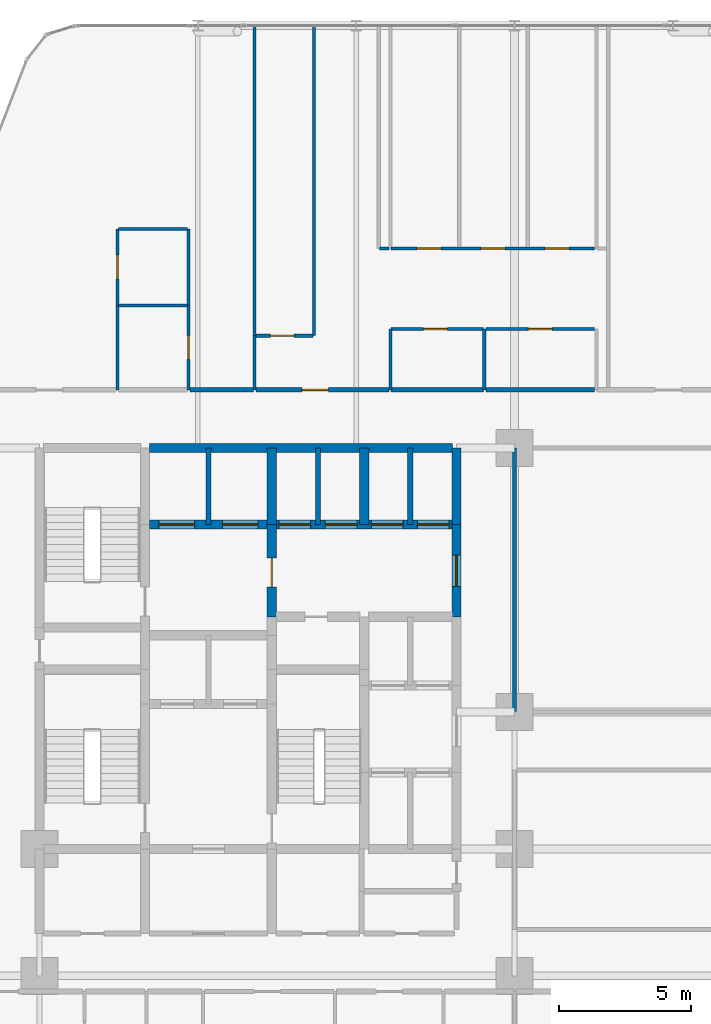
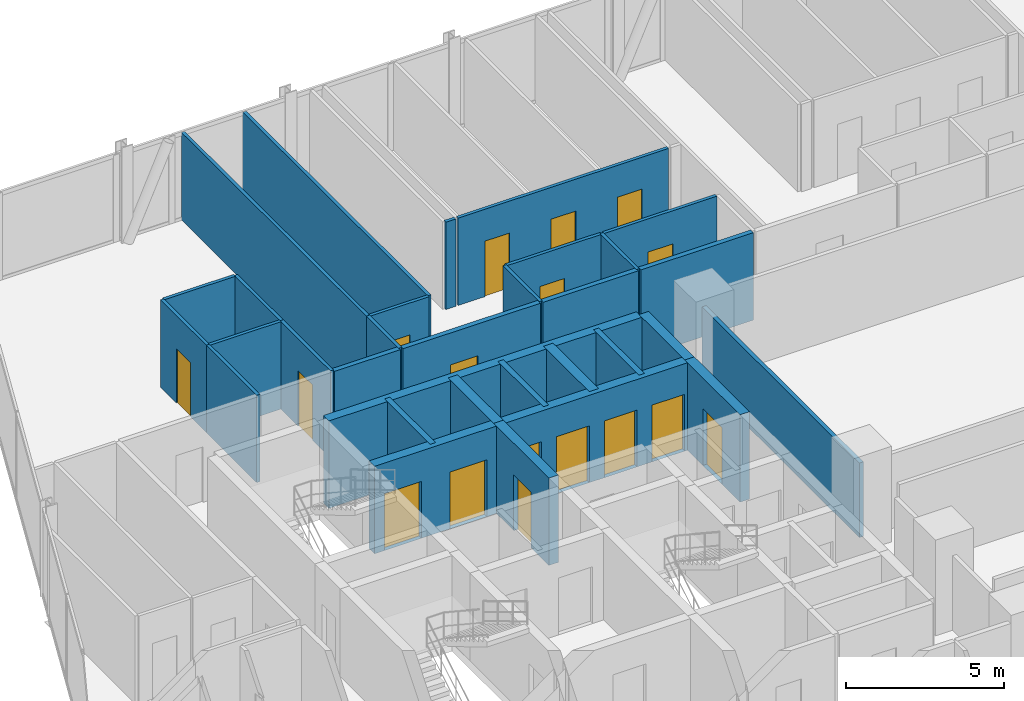
# One storey, part 30 of 33: 31 walls, 17 doors, 17 openings.
"""IFC4 building model written with IfcOpenShell, lengths in metres."""

import ifcopenshell
import ifcopenshell.guid

model = None  # the IFC model being written
_history = None  # IfcOwnerHistory: only IFC2X3 demands one
_inside = {}  # id of a spatial element -> (the spatial element, [elements in it])
_under = {}  # id of a project, library or spatial element -> (it, [spatial elements below it])
_declared = {}  # id of a project -> (the project, [libraries it declares])
_typed = {}  # id of a type object -> (the type object, [elements of that type])
_made_of = {}  # id of a material, layer set ... -> (it, [elements and type objects made of it])


def new_model(schema):
    """Start an empty IFC model of exactly this schema.

    Asked for "IFC4X3", IfcOpenShell would pick the latest addendum, in which some entities
    have other attributes; the version numbers below select the first issue.
    IFC2X3 requires an IfcOwnerHistory on every rooted entity: one is made here for all.
    """
    global model, _history
    if schema == "IFC4X3":
        model = ifcopenshell.file(schema_version=(4, 3, 0, 0))
    else:
        model = ifcopenshell.file(schema=schema)
    _inside.clear()
    _under.clear()
    _declared.clear()
    _typed.clear()
    _made_of.clear()
    _history = None
    if model.schema == "IFC2X3":
        org = make("IfcOrganization", Name="unknown")
        user = make(
            "IfcPersonAndOrganization",
            ThePerson=make("IfcPerson", FamilyName="unknown"),
            TheOrganization=org,
        )
        app = make(
            "IfcApplication",
            ApplicationDeveloper=org,
            Version="unknown",
            ApplicationFullName="unknown",
            ApplicationIdentifier="unknown",
        )
        _history = make(
            "IfcOwnerHistory",
            OwningUser=user,
            OwningApplication=app,
            ChangeAction="ADDED",
            CreationDate=0,
        )
    return model


def make(cls, **values):
    """One entity of the class cls with the attributes given. An attribute that is None is left unset."""
    return model.create_entity(
        cls, **{name: value for name, value in values.items() if value is not None}
    )


def rooted(cls, **values):
    """An entity with a GlobalId (a new one), such as an element, a storey or a relation."""
    return make(cls, GlobalId=ifcopenshell.guid.new(), OwnerHistory=_history, **values)


def si_unit(unit_type, name, prefix=None):
    """IfcSIUnit, for example si_unit("LENGTHUNIT", "METRE", prefix="MILLI")."""
    return make("IfcSIUnit", UnitType=unit_type, Prefix=prefix, Name=name)


def assignment(units):
    """IfcUnitAssignment: the units of a project."""
    return None if units is None else make("IfcUnitAssignment", Units=units)


def point(xyz):
    """IfcCartesianPoint."""
    return None if xyz is None else make("IfcCartesianPoint", Coordinates=xyz)


def direction(xyz):
    """IfcDirection."""
    return None if xyz is None else make("IfcDirection", DirectionRatios=xyz)


def frame(location, z_axis=None, x_axis=None):
    """IfcAxis2Placement3D, a coordinate frame: its origin and axes. An axis left out is left unset."""
    return make(
        "IfcAxis2Placement3D",
        Location=point(location),
        Axis=direction(z_axis),
        RefDirection=direction(x_axis),
    )


def frame_2d(location, x_axis=None):
    """IfcAxis2Placement2D, a coordinate frame in the plane: its origin and x axis."""
    return make(
        "IfcAxis2Placement2D", Location=point(location), RefDirection=direction(x_axis)
    )


def origin():
    """The frame at (0, 0, 0) with its axes left unset."""
    return frame((0.0, 0.0, 0.0))


def place(relative_to, where):
    """IfcLocalPlacement: puts the frame where relative to a parent placement (None: the world)."""
    return make(
        "IfcLocalPlacement", PlacementRelTo=relative_to, RelativePlacement=where
    )


def context(
    kind, dimensions, precision=None, world=None, true_north=None, identifier=None
):
    """IfcGeometricRepresentationContext, for example the 3D "Model" context."""
    return make(
        "IfcGeometricRepresentationContext",
        ContextIdentifier=identifier,
        ContextType=kind,
        CoordinateSpaceDimension=dimensions,
        Precision=precision,
        WorldCoordinateSystem=world,
        TrueNorth=true_north,
    )


def subcontext(parent, identifier, kind, view, scale=None):
    """IfcGeometricRepresentationSubContext, for example "Body" below "Model"."""
    return make(
        "IfcGeometricRepresentationSubContext",
        ContextIdentifier=identifier,
        ContextType=kind,
        ParentContext=parent,
        TargetScale=scale,
        TargetView=view,
    )


def project(units=None, contexts=None):
    """IfcProject with its units and contexts."""
    return rooted(
        "IfcProject",
        Name="project",
        RepresentationContexts=contexts,
        UnitsInContext=assignment(units),
    )


def spatial(cls, under=None, at=None, **own):
    """A site, building, storey or space (cls), placed at a placement, below another one or the project."""
    s = rooted(cls, ObjectPlacement=at, **own)
    if under is not None:
        _under.setdefault(under.id(), (under, []))[1].append(s)
    return s


def profile(cls, at=None, kind="AREA", **sizes):
    """A parametric profile (cls). Its sizes go by their IFC names, for example OverallWidth=200.0."""
    return make(cls, ProfileType=kind, Position=at, **sizes)


def rectangle(**sizes):
    """IfcRectangleProfileDef."""
    return profile("IfcRectangleProfileDef", **sizes)


def extrude(swept, where, along, depth):
    """IfcExtrudedAreaSolid: the profile swept, set in the frame where, extruded along a direction by depth."""
    return make(
        "IfcExtrudedAreaSolid",
        SweptArea=swept,
        Position=where,
        ExtrudedDirection=direction(along),
        Depth=depth,
    )


def shape(context_of_items, identifier, shape_type, items):
    """IfcShapeRepresentation: the items that make up one representation, for example the "Body"."""
    return make(
        "IfcShapeRepresentation",
        ContextOfItems=context_of_items,
        RepresentationIdentifier=identifier,
        RepresentationType=shape_type,
        Items=items,
    )


def material(Name=None, Category=None):
    """IfcMaterial."""
    return make("IfcMaterial", Name=Name, Category=Category)


def layer(
    of_material, thickness, ventilated=None, Name=None, Category=None, Priority=None
):
    """IfcMaterialLayer: one layer of a wall or slab, of a material (None: an air gap)."""
    return make(
        "IfcMaterialLayer",
        Material=of_material,
        LayerThickness=thickness,
        IsVentilated=ventilated,
        Name=Name,
        Category=Category,
        Priority=Priority,
    )


def layer_set(layers, Name=None):
    """IfcMaterialLayerSet."""
    return make("IfcMaterialLayerSet", MaterialLayers=layers, LayerSetName=Name)


def made_of(thing, what):
    """Note that an element or type object is made of a material, layer set ...; save() writes the relation."""
    if what is not None:
        _made_of.setdefault(what.id(), (what, []))[1].append(thing)
    return thing


def type_object(cls, material=None, **own):
    """A type object (cls), such as IfcWallType, which elements share."""
    return made_of(rooted(cls, **own), material)


def element(
    cls,
    number,
    at=None,
    inside=None,
    cuts=None,
    type_object=None,
    material=None,
    context=None,
    identifier="Body",
    shape_type=None,
    held_by="IfcProductDefinitionShape",
    body=None,
    shapes=None,
    **own,
):
    """One element of the class cls, such as IfcWall. Its Tag is "e" and its number.

    at: its placement. inside: the storey or other place that contains it. cuts: it is an
    opening in that element (IfcRelVoidsElement). A single representation is given by context,
    identifier, shape_type and body (its items); several are given by shapes. held_by: the class
    of the entity that holds the representations. save() writes the other relations.
    """
    e = rooted(cls, Tag="e%d" % number, ObjectPlacement=at, **own)
    if body is not None:
        shapes = [shape(context, identifier, shape_type, body)]
    if shapes is not None:
        e.Representation = make(held_by, Representations=shapes)
    if inside is not None:
        _inside.setdefault(inside.id(), (inside, []))[1].append(e)
    if cuts is not None:
        rooted(
            "IfcRelVoidsElement", RelatingBuildingElement=cuts, RelatedOpeningElement=e
        )
    if type_object is not None:
        _typed.setdefault(type_object.id(), (type_object, []))[1].append(e)
    return made_of(e, material)


def fill(opening, filler):
    """IfcRelFillsElement: the door or window that sits in an opening."""
    return rooted(
        "IfcRelFillsElement",
        RelatingOpeningElement=opening,
        RelatedBuildingElement=filler,
    )


def aggregate(whole, parts):
    """IfcRelAggregates: a whole, such as a stair, and the parts it consists of."""
    return rooted("IfcRelAggregates", RelatingObject=whole, RelatedObjects=parts)


def save(model, path):
    """Write the relations noted so far, then the file.

    IfcRelAggregates (storeys below a building ...), IfcRelContainedInSpatialStructure (elements
    in a storey), IfcRelDefinesByType, IfcRelAssociatesMaterial and IfcRelDeclares: one each for
    every whole, place, type object, material and project.
    """
    for whole, parts in _under.values():
        aggregate(whole, parts)
    for where, things in _inside.values():
        rooted(
            "IfcRelContainedInSpatialStructure",
            RelatedElements=things,
            RelatingStructure=where,
        )
    for kind, things in _typed.values():
        rooted("IfcRelDefinesByType", RelatedObjects=things, RelatingType=kind)
    for what, things in _made_of.values():
        rooted("IfcRelAssociatesMaterial", RelatedObjects=things, RelatingMaterial=what)
    for by, libraries in _declared.values():
        rooted("IfcRelDeclares", RelatingContext=by, RelatedDefinitions=libraries)
    model.write(path)


model = new_model("IFC4")

# Units and contexts
model_context = context("Model", 3, precision=1e-05, world=origin(), true_north=direction((0.0, 1.0)))
body_context = subcontext(model_context, "Body", "Model", "MODEL_VIEW")
ifc_project = project(units=[si_unit("LENGTHUNIT", "METRE"), si_unit("AREAUNIT", "SQUARE_METRE"), si_unit("VOLUMEUNIT", "CUBIC_METRE"), si_unit("PLANEANGLEUNIT", "RADIAN"), si_unit("MASSUNIT", "GRAM", prefix="KILO")], contexts=[model_context])

# Site, building, storey
site_placement = place(None, origin())
site = spatial("IfcSite", under=ifc_project, at=site_placement, CompositionType="ELEMENT")
building_placement = place(site_placement, origin())
building = spatial("IfcBuilding", under=site, at=building_placement, Name="Keshet Zoharim Tower", CompositionType="ELEMENT")
storey_placement = place(building_placement, frame((0.0, 0.0, 42.5)))
storey = spatial("IfcBuildingStorey", under=building, at=storey_placement, Name="L09", CompositionType="ELEMENT", Elevation=42.5)

# Wall
ifc_material_1 = material(Name="Gypsum Plasterboard", Category="gypsum")
ifc_layer_1 = layer(ifc_material_1, 0.14990234375)
ifc_layer_set_1 = layer_set([ifc_layer_1], Name="Gypsum Plasterboard")
wall_type_1 = type_object("IfcWallType", Name="WL-CLIN-150", PredefinedType="STANDARD", material=ifc_layer_set_1)
wall_1_placement = place(storey_placement, frame((33.0, 27.909912109375, 0.0), z_axis=(0.0, 0.0, 1.0), x_axis=(0.0, 1.0, 0.0)))
element("IfcWall", 1, at=wall_1_placement, inside=storey, type_object=wall_type_1, Name="L09 Interior Wall 072", PredefinedType="STANDARD", context=body_context, shape_type="SweptSolid", body=[
    extrude(rectangle(XDim=9.97998046875, YDim=0.14990234375, at=frame_2d((4.989990234375, 0.0))), origin(), (0.0, 0.0, 1.0), 2.885009765625),
])

# Wall, opening, door
ifc_material_2 = material(Name="Concrete C60/75", Category="concrete")
ifc_layer_2 = layer(ifc_material_2, 0.35009765625)
ifc_layer_set_2 = layer_set([ifc_layer_2], Name="Concrete C60/75")
wall_type_2 = type_object("IfcWallType", Name="WL-CORE-350", PredefinedType="SHEAR", material=ifc_layer_set_2)
wall_2_placement = place(storey_placement, frame((23.800048828125, 31.5, 0.0), z_axis=(0.0, 0.0, 1.0), x_axis=(0.0, 1.0, 0.0)))
wall_2 = element("IfcWall", 2, at=wall_2_placement, inside=storey, type_object=wall_type_2, Name="L09 Core Shear Wall 040", PredefinedType="SHEAR", context=body_context, shape_type="SweptSolid", body=[
    extrude(rectangle(XDim=3.5, YDim=0.35009765625, at=frame_2d((1.75, 0.0))), origin(), (0.0, 0.0, 1.0), 3.385009765625),
])
opening_1_placement = place(wall_2_placement, frame((1.126953125, 0.0, 0.0)))
opening_1 = element("IfcOpeningElement", 3, at=opening_1_placement, cuts=wall_2, Name="Opening D-F611", PredefinedType="OPENING", context=body_context, shape_type="SweptSolid", body=[
    extrude(rectangle(XDim=1.10009765625, YDim=2.14990234375, at=frame_2d((0.550048828125, 1.074951171875))), frame((0.0, 0.18505859375, 0.0), z_axis=(0.0, -1.0, 0.0), x_axis=(1.0, 0.0, 0.0)), (0.0, 0.0, 1.0), 0.3701171875),
])
ifc_material_3 = material(Name="Hardwood Timber", Category="wood")
door_type_1 = type_object("IfcDoorType", Name="DR-FD60-110", OperationType="NOTDEFINED", PredefinedType="DOOR", material=ifc_material_3)
door_1_placement = place(opening_1_placement, origin())
door_1 = element("IfcDoor", 4, at=door_1_placement, inside=storey, type_object=door_type_1, Name="L09 Firefighting Lobby Fire Door", OperationType="SINGLE_SWING_RIGHT", OverallHeight=2.14990234375, OverallWidth=1.10009765625, PredefinedType="DOOR", context=body_context, shape_type="SweptSolid", body=[
    extrude(rectangle(XDim=1.10009765625, YDim=2.14990234375, at=frame_2d((0.550048828125, 1.074951171875))), frame((0.0, 0.02490234375, 0.0), z_axis=(0.0, -1.0, 0.0), x_axis=(1.0, 0.0, 0.0)), (0.0, 0.0, 1.0), 0.050048828125),
])
fill(opening_1, door_1)

# Walls
for number, where, z_axis, x_axis, name in (
    (5, (23.800048828125, 35.0, 0.0), (0.0, 0.0, 1.0), (0.0, 1.0, 0.0), "L09 Core Shear Wall 041"),
    (6, (27.300048828125, 35.0, 0.0), (0.0, 0.0, 1.0), (0.0, 1.0, 0.0), "L09 Core Shear Wall 051"),
):
    element("IfcWall", number, at=place(storey_placement, frame(where, z_axis=z_axis, x_axis=x_axis)), inside=storey, type_object=wall_type_2, Name=name, PredefinedType="SHEAR", context=body_context, shape_type="SweptSolid", body=[
        extrude(rectangle(XDim=2.89990234375, YDim=0.35009765625, at=frame_2d((1.449951171875, 0.0))), origin(), (0.0, 0.0, 1.0), 3.385009765625),
    ])

# Wall, opening, door
wall_3_placement = place(storey_placement, frame((30.800048828125, 31.5, 0.0), z_axis=(0.0, 0.0, 1.0), x_axis=(0.0, 1.0, 0.0)))
wall_3 = element("IfcWall", 7, at=wall_3_placement, inside=storey, type_object=wall_type_2, Name="L09 Core Shear Wall 066", PredefinedType="SHEAR", context=body_context, shape_type="SweptSolid", body=[
    extrude(rectangle(XDim=3.5, YDim=0.35009765625, at=frame_2d((1.75, 0.0))), origin(), (0.0, 0.0, 1.0), 3.385009765625),
])
opening_2_placement = place(wall_3_placement, frame((1.14990234375, 0.0, 0.0)))
opening_2 = element("IfcOpeningElement", 8, at=opening_2_placement, cuts=wall_3, Name="Opening D-F612", PredefinedType="OPENING", context=body_context, shape_type="SweptSolid", body=[
    extrude(rectangle(XDim=1.199951171875, YDim=2.199951171875, at=frame_2d((0.60009765625, 1.10009765625))), frame((0.0, 0.18505859375, 0.0), z_axis=(0.0, -1.0, 0.0), x_axis=(1.0, 0.0, 0.0)), (0.0, 0.0, 1.0), 0.3701171875),
])
door_type_2 = type_object("IfcDoorType", Name="DR-FD60-120", OperationType="NOTDEFINED", PredefinedType="DOOR", material=ifc_material_3)
door_2_placement = place(opening_2_placement, origin())
door_2 = element("IfcDoor", 9, at=door_2_placement, inside=storey, type_object=door_type_2, Name="L09 North Lift Lobby East Fire Door", OperationType="SINGLE_SWING_LEFT", OverallHeight=2.199951171875, OverallWidth=1.199951171875, PredefinedType="DOOR", context=body_context, shape_type="SweptSolid", body=[
    extrude(rectangle(XDim=1.199951171875, YDim=2.199951171875, at=frame_2d((0.60009765625, 1.10009765625))), frame((0.0, 0.02490234375, 0.0), z_axis=(0.0, -1.0, 0.0), x_axis=(1.0, 0.0, 0.0)), (0.0, 0.0, 1.0), 0.050048828125),
])
fill(opening_2, door_2)

# Wall
wall_4_placement = place(storey_placement, frame((30.800048828125, 35.0, 0.0), z_axis=(0.0, 0.0, 1.0), x_axis=(0.0, 1.0, 0.0)))
element("IfcWall", 10, at=wall_4_placement, inside=storey, type_object=wall_type_2, Name="L09 Core Shear Wall 067", PredefinedType="SHEAR", context=body_context, shape_type="SweptSolid", body=[
    extrude(rectangle(XDim=2.89990234375, YDim=0.35009765625, at=frame_2d((1.449951171875, 0.0))), origin(), (0.0, 0.0, 1.0), 3.385009765625),
])

# Wall, openings, doors
wall_5_placement = place(storey_placement, frame((19.159912109375, 35.0, 0.0), z_axis=(0.0, 0.0, 1.0), x_axis=(1.0, 0.0, 0.0)))
wall_5 = element("IfcWall", 11, at=wall_5_placement, inside=storey, type_object=wall_type_2, Name="L09 Core Shear Wall 194", PredefinedType="SHEAR", context=body_context, shape_type="SweptSolid", body=[
    extrude(rectangle(XDim=11.47998046875, YDim=0.35009765625, at=frame_2d((5.739990234375, 0.0))), origin(), (0.0, 0.0, 1.0), 3.385009765625),
])
opening_3_placement = place(wall_5_placement, frame((0.364990234375, 0.0, 0.0)))
opening_3 = element("IfcOpeningElement", 12, at=opening_3_placement, cuts=wall_5, Name="Opening LD-02", PredefinedType="OPENING", context=body_context, shape_type="SweptSolid", body=[
    extrude(rectangle(XDim=1.35009765625, YDim=2.199951171875, at=frame_2d((0.675048828125, 1.10009765625))), frame((0.0, 0.18505859375, 0.0), z_axis=(0.0, -1.0, 0.0), x_axis=(1.0, 0.0, 0.0)), (0.0, 0.0, 1.0), 0.3701171875),
])
opening_4_placement = place(wall_5_placement, frame((2.764892578125, 0.0, 0.0)))
opening_4 = element("IfcOpeningElement", 13, at=opening_4_placement, cuts=wall_5, Name="Opening LD-02", PredefinedType="OPENING", context=body_context, shape_type="SweptSolid", body=[
    extrude(rectangle(XDim=1.35009765625, YDim=2.199951171875, at=frame_2d((0.675048828125, 1.10009765625))), frame((0.0, 0.18505859375, 0.0), z_axis=(0.0, -1.0, 0.0), x_axis=(1.0, 0.0, 0.0)), (0.0, 0.0, 1.0), 0.3701171875),
])
opening_5_placement = place(wall_5_placement, frame((4.9150390625, 0.0, 0.0)))
opening_5 = element("IfcOpeningElement", 14, at=opening_5_placement, cuts=wall_5, Name="Opening LD-03", PredefinedType="OPENING", context=body_context, shape_type="SweptSolid", body=[
    extrude(rectangle(XDim=1.199951171875, YDim=2.199951171875, at=frame_2d((0.60009765625, 1.10009765625))), frame((0.0, 0.18505859375, 0.0), z_axis=(0.0, -1.0, 0.0), x_axis=(1.0, 0.0, 0.0)), (0.0, 0.0, 1.0), 0.3701171875),
])
opening_6_placement = place(wall_5_placement, frame((6.6650390625, 0.0, 0.0)))
opening_6 = element("IfcOpeningElement", 15, at=opening_6_placement, cuts=wall_5, Name="Opening LD-03", PredefinedType="OPENING", context=body_context, shape_type="SweptSolid", body=[
    extrude(rectangle(XDim=1.199951171875, YDim=2.199951171875, at=frame_2d((0.60009765625, 1.10009765625))), frame((0.0, 0.18505859375, 0.0), z_axis=(0.0, -1.0, 0.0), x_axis=(1.0, 0.0, 0.0)), (0.0, 0.0, 1.0), 0.3701171875),
])
opening_7_placement = place(wall_5_placement, frame((8.4150390625, 0.0, 0.0)))
opening_7 = element("IfcOpeningElement", 16, at=opening_7_placement, cuts=wall_5, Name="Opening LD-03", PredefinedType="OPENING", context=body_context, shape_type="SweptSolid", body=[
    extrude(rectangle(XDim=1.199951171875, YDim=2.199951171875, at=frame_2d((0.60009765625, 1.10009765625))), frame((0.0, 0.18505859375, 0.0), z_axis=(0.0, -1.0, 0.0), x_axis=(1.0, 0.0, 0.0)), (0.0, 0.0, 1.0), 0.3701171875),
])
opening_8_placement = place(wall_5_placement, frame((10.159912109375, 0.0, 0.0)))
opening_8 = element("IfcOpeningElement", 17, at=opening_8_placement, cuts=wall_5, Name="Opening LD-03", PredefinedType="OPENING", context=body_context, shape_type="SweptSolid", body=[
    extrude(rectangle(XDim=1.199951171875, YDim=2.199951171875, at=frame_2d((0.60009765625, 1.10009765625))), frame((0.0, 0.18505859375, 0.0), z_axis=(0.0, -1.0, 0.0), x_axis=(1.0, 0.0, 0.0)), (0.0, 0.0, 1.0), 0.3701171875),
])
ifc_material_4 = material(Name="Steel S355", Category="steel")
door_type_3 = type_object("IfcDoorType", Name="DR-LD02-135", OperationType="DOUBLE_DOOR_SLIDING", PredefinedType="DOOR", material=ifc_material_4)
door_3_placement = place(opening_3_placement, origin())
door_3 = element("IfcDoor", 18, at=door_3_placement, inside=storey, type_object=door_type_3, Name="L09 Firefighting Lift Landing Door FF-01", OperationType="DOUBLE_DOOR_SLIDING", OverallHeight=2.199951171875, OverallWidth=1.35009765625, PredefinedType="DOOR", context=body_context, shape_type="SweptSolid", body=[
    extrude(rectangle(XDim=1.35009765625, YDim=2.199951171875, at=frame_2d((0.675048828125, 1.10009765625))), frame((0.0, 0.02490234375, 0.0), z_axis=(0.0, -1.0, 0.0), x_axis=(1.0, 0.0, 0.0)), (0.0, 0.0, 1.0), 0.050048828125),
])
fill(opening_3, door_3)
door_4_placement = place(opening_4_placement, origin())
door_4 = element("IfcDoor", 19, at=door_4_placement, inside=storey, type_object=door_type_3, Name="L09 Firefighting Lift Landing Door FF-02", OperationType="DOUBLE_DOOR_SLIDING", OverallHeight=2.199951171875, OverallWidth=1.35009765625, PredefinedType="DOOR", context=body_context, shape_type="SweptSolid", body=[
    extrude(rectangle(XDim=1.35009765625, YDim=2.199951171875, at=frame_2d((0.675048828125, 1.10009765625))), frame((0.0, 0.02490234375, 0.0), z_axis=(0.0, -1.0, 0.0), x_axis=(1.0, 0.0, 0.0)), (0.0, 0.0, 1.0), 0.050048828125),
])
fill(opening_4, door_4)
door_type_4 = type_object("IfcDoorType", Name="DR-LD03-120", OperationType="DOUBLE_DOOR_SLIDING", PredefinedType="DOOR", material=ifc_material_4)
door_5_placement = place(opening_5_placement, origin())
door_5 = element("IfcDoor", 20, at=door_5_placement, inside=storey, type_object=door_type_4, Name="L09 Passenger Lift Landing Door LF-01", OperationType="DOUBLE_DOOR_SLIDING", OverallHeight=2.199951171875, OverallWidth=1.199951171875, PredefinedType="DOOR", context=body_context, shape_type="SweptSolid", body=[
    extrude(rectangle(XDim=1.199951171875, YDim=2.199951171875, at=frame_2d((0.60009765625, 1.10009765625))), frame((0.0, 0.02490234375, 0.0), z_axis=(0.0, -1.0, 0.0), x_axis=(1.0, 0.0, 0.0)), (0.0, 0.0, 1.0), 0.050048828125),
])
fill(opening_5, door_5)
door_6_placement = place(opening_6_placement, origin())
door_6 = element("IfcDoor", 21, at=door_6_placement, inside=storey, type_object=door_type_4, Name="L09 Passenger Lift Landing Door LF-02", OperationType="DOUBLE_DOOR_SLIDING", OverallHeight=2.199951171875, OverallWidth=1.199951171875, PredefinedType="DOOR", context=body_context, shape_type="SweptSolid", body=[
    extrude(rectangle(XDim=1.199951171875, YDim=2.199951171875, at=frame_2d((0.60009765625, 1.10009765625))), frame((0.0, 0.02490234375, 0.0), z_axis=(0.0, -1.0, 0.0), x_axis=(1.0, 0.0, 0.0)), (0.0, 0.0, 1.0), 0.050048828125),
])
fill(opening_6, door_6)
door_7_placement = place(opening_7_placement, origin())
door_7 = element("IfcDoor", 22, at=door_7_placement, inside=storey, type_object=door_type_4, Name="L09 Passenger Lift Landing Door LF-03", OperationType="DOUBLE_DOOR_SLIDING", OverallHeight=2.199951171875, OverallWidth=1.199951171875, PredefinedType="DOOR", context=body_context, shape_type="SweptSolid", body=[
    extrude(rectangle(XDim=1.199951171875, YDim=2.199951171875, at=frame_2d((0.60009765625, 1.10009765625))), frame((0.0, 0.02490234375, 0.0), z_axis=(0.0, -1.0, 0.0), x_axis=(1.0, 0.0, 0.0)), (0.0, 0.0, 1.0), 0.050048828125),
])
fill(opening_7, door_7)
door_8_placement = place(opening_8_placement, origin())
door_8 = element("IfcDoor", 23, at=door_8_placement, inside=storey, type_object=door_type_4, Name="L09 Passenger Lift Landing Door LF-04", OperationType="DOUBLE_DOOR_SLIDING", OverallHeight=2.199951171875, OverallWidth=1.199951171875, PredefinedType="DOOR", context=body_context, shape_type="SweptSolid", body=[
    extrude(rectangle(XDim=1.199951171875, YDim=2.199951171875, at=frame_2d((0.60009765625, 1.10009765625))), frame((0.0, 0.02490234375, 0.0), z_axis=(0.0, -1.0, 0.0), x_axis=(1.0, 0.0, 0.0)), (0.0, 0.0, 1.0), 0.050048828125),
])
fill(opening_8, door_8)

# Walls
wall_6_placement = place(storey_placement, frame((19.159912109375, 37.89990234375, 0.0), z_axis=(0.0, 0.0, 1.0), x_axis=(1.0, 0.0, 0.0)))
element("IfcWall", 24, at=wall_6_placement, inside=storey, type_object=wall_type_2, Name="L09 Core Shear Wall 196", PredefinedType="SHEAR", context=body_context, shape_type="SweptSolid", body=[
    extrude(rectangle(XDim=11.47998046875, YDim=0.35009765625, at=frame_2d((5.739990234375, 0.0))), origin(), (0.0, 0.0, 1.0), 3.385009765625),
])
ifc_layer_3 = layer(ifc_material_1, 0.179931640625)
ifc_layer_set_3 = layer_set([ifc_layer_3], Name="Gypsum Plasterboard")
wall_type_3 = type_object("IfcWallType", Name="WL-CORR-180", PredefinedType="STANDARD", material=ifc_layer_set_3)
wall_7_placement = place(storey_placement, frame((20.695068359375, 40.10009765625, 0.0), z_axis=(0.0, 0.0, 1.0), x_axis=(1.0, 0.0, 0.0)))
element("IfcWall", 25, at=wall_7_placement, inside=storey, type_object=wall_type_3, Name="L09 Interior Wall 202", PredefinedType="STANDARD", context=body_context, shape_type="SweptSolid", body=[
    extrude(rectangle(XDim=2.409912109375, YDim=0.179931640625, at=frame_2d((1.205078125, 0.0))), origin(), (0.0, 0.0, 1.0), 3.385009765625),
])

# Wall, opening, door
wall_8_placement = place(storey_placement, frame((23.195068359375, 40.10009765625, 0.0), z_axis=(0.0, 0.0, 1.0), x_axis=(1.0, 0.0, 0.0)))
wall_8 = element("IfcWall", 26, at=wall_8_placement, inside=storey, type_object=wall_type_3, Name="L09 Interior Wall 203", PredefinedType="STANDARD", context=body_context, shape_type="SweptSolid", body=[
    extrude(rectangle(XDim=5.0400390625, YDim=0.179931640625, at=frame_2d((2.52001953125, 0.0))), origin(), (0.0, 0.0, 1.0), 3.385009765625),
])
opening_9_placement = place(wall_8_placement, frame((1.75, 0.0, 0.0)))
opening_9 = element("IfcOpeningElement", 27, at=opening_9_placement, cuts=wall_8, Name="Opening D-F310", PredefinedType="OPENING", context=body_context, shape_type="SweptSolid", body=[
    extrude(rectangle(XDim=1.0, YDim=2.14990234375, at=frame_2d((0.5, 1.074951171875))), frame((0.0, 0.10009765625, 0.0), z_axis=(0.0, -1.0, 0.0), x_axis=(1.0, 0.0, 0.0)), (0.0, 0.0, 1.0), 0.199951171875),
])
door_type_5 = type_object("IfcDoorType", Name="DR-FD30-100", OperationType="NOTDEFINED", PredefinedType="DOOR", material=ifc_material_3)
door_9_placement = place(opening_9_placement, origin())
door_9 = element("IfcDoor", 28, at=door_9_placement, inside=storey, type_object=door_type_5, Name="Apartment 0907 Entrance Door", OperationType="SINGLE_SWING_LEFT", OverallHeight=2.14990234375, OverallWidth=1.0, PredefinedType="DOOR", context=body_context, shape_type="SweptSolid", body=[
    extrude(rectangle(XDim=1.0, YDim=2.14990234375, at=frame_2d((0.5, 1.074951171875))), frame((0.0, 0.02490234375, 0.0), z_axis=(0.0, -1.0, 0.0), x_axis=(1.0, 0.0, 0.0)), (0.0, 0.0, 1.0), 0.050048828125),
])
fill(opening_9, door_9)

# Walls
wall_9_placement = place(storey_placement, frame((28.324951171875, 40.10009765625, 0.0), z_axis=(0.0, 0.0, 1.0), x_axis=(1.0, 0.0, 0.0)))
element("IfcWall", 29, at=wall_9_placement, inside=storey, type_object=wall_type_3, Name="L09 Interior Wall 204", PredefinedType="STANDARD", context=body_context, shape_type="SweptSolid", body=[
    extrude(rectangle(XDim=3.498046875, YDim=0.179931640625, at=frame_2d((1.7490234375, 0.0))), origin(), (0.0, 0.0, 1.0), 3.385009765625),
])
wall_10_placement = place(storey_placement, frame((31.9130859375, 40.10009765625, 0.0), z_axis=(0.0, 0.0, 1.0), x_axis=(1.0, 0.0, 0.0)))
element("IfcWall", 30, at=wall_10_placement, inside=storey, type_object=wall_type_3, Name="L09 Interior Wall 205", PredefinedType="STANDARD", context=body_context, shape_type="SweptSolid", body=[
    extrude(rectangle(XDim=4.121826171875, YDim=0.179931640625, at=frame_2d((2.06103515625, 0.0))), origin(), (0.0, 0.0, 1.0), 3.385009765625),
])
ifc_material_5 = material(Name="Concrete C50/60", Category="concrete")
ifc_layer_4 = layer(ifc_material_5, 0.199951171875)
ifc_layer_set_4 = layer_set([ifc_layer_4], Name="Concrete C50/60")
wall_type_4 = type_object("IfcWallType", Name="WL-FIRE-200", PredefinedType="STANDARD", material=ifc_layer_set_4)
for number, where, z_axis, x_axis, name in (
    (31, (21.39990234375, 35.0, 0.0), (0.0, 0.0, 1.0), (0.0, 1.0, 0.0), "L09 Interior Wall 032"),
    (32, (25.550048828125, 35.0, 0.0), (0.0, 0.0, 1.0), (0.0, 1.0, 0.0), "L09 Interior Wall 043"),
    (33, (29.050048828125, 35.0, 0.0), (0.0, 0.0, 1.0), (0.0, 1.0, 0.0), "L09 Interior Wall 057"),
):
    element("IfcWall", number, at=place(storey_placement, frame(where, z_axis=z_axis, x_axis=x_axis)), inside=storey, type_object=wall_type_4, Name=name, PredefinedType="STANDARD", context=body_context, shape_type="SweptSolid", body=[
        extrude(rectangle(XDim=2.89990234375, YDim=0.199951171875, at=frame_2d((1.449951171875, 0.0))), origin(), (0.0, 0.0, 1.0), 3.385009765625),
    ])
ifc_layer_5 = layer(ifc_material_1, 0.1201171875)
ifc_layer_set_5 = layer_set([ifc_layer_5], Name="Gypsum Plasterboard")
wall_type_5 = type_object("IfcWallType", Name="WL-PART-120", PredefinedType="PARTITIONING", material=ifc_layer_set_5)
wall_11_placement = place(storey_placement, frame((17.949951171875, 40.10009765625, 0.0), z_axis=(0.0, 0.0, 1.0), x_axis=(0.0, 1.0, 0.0)))
element("IfcWall", 34, at=wall_11_placement, inside=storey, type_object=wall_type_5, Name="L09 Interior Wall 019", PredefinedType="PARTITIONING", context=body_context, shape_type="SweptSolid", body=[
    extrude(rectangle(XDim=3.199951171875, YDim=0.1201171875, at=frame_2d((1.60009765625, 0.0))), origin(), (0.0, 0.0, 1.0), 3.385009765625),
])

# Wall, opening, door
wall_12_placement = place(storey_placement, frame((20.64990234375, 40.10009765625, 0.0), z_axis=(0.0, 0.0, 1.0), x_axis=(0.0, 1.0, 0.0)))
wall_12 = element("IfcWall", 35, at=wall_12_placement, inside=storey, type_object=wall_type_5, Name="L09 Interior Wall 028", PredefinedType="PARTITIONING", context=body_context, shape_type="SweptSolid", body=[
    extrude(rectangle(XDim=3.199951171875, YDim=0.1201171875, at=frame_2d((1.60009765625, 0.0))), origin(), (0.0, 0.0, 1.0), 3.385009765625),
])
opening_10_placement = place(wall_12_placement, frame((1.14990234375, 0.0, 0.0)))
opening_10 = element("IfcOpeningElement", 36, at=opening_10_placement, cuts=wall_12, Name="Opening D-IN90", PredefinedType="OPENING", context=body_context, shape_type="SweptSolid", body=[
    extrude(rectangle(XDim=0.89990234375, YDim=2.14990234375, at=frame_2d((0.449951171875, 1.074951171875))), frame((0.0, 0.070068359375, 0.0), z_axis=(0.0, -1.0, 0.0), x_axis=(1.0, 0.0, 0.0)), (0.0, 0.0, 1.0), 0.14013671875),
])
door_type_6 = type_object("IfcDoorType", Name="DR-INT-090", OperationType="NOTDEFINED", PredefinedType="DOOR", material=ifc_material_3)
door_10_placement = place(opening_10_placement, origin())
door_10 = element("IfcDoor", 37, at=door_10_placement, inside=storey, type_object=door_type_6, Name="Apartment 0906 Kitchenette Door", OperationType="SINGLE_SWING_RIGHT", OverallHeight=2.14990234375, OverallWidth=0.89990234375, PredefinedType="DOOR", context=body_context, shape_type="SweptSolid", body=[
    extrude(rectangle(XDim=0.89990234375, YDim=2.14990234375, at=frame_2d((0.449951171875, 1.074951171875))), frame((0.0, 0.02490234375, 0.0), z_axis=(0.0, -1.0, 0.0), x_axis=(1.0, 0.0, 0.0)), (0.0, 0.0, 1.0), 0.050048828125),
])
fill(opening_10, door_10)

# Walls
wall_13_placement = place(storey_placement, frame((23.14990234375, 40.10009765625, 0.0), z_axis=(0.0, 0.0, 1.0), x_axis=(0.0, 1.0, 0.0)))
element("IfcWall", 38, at=wall_13_placement, inside=storey, type_object=wall_type_5, Name="L09 Interior Wall 033", PredefinedType="PARTITIONING", context=body_context, shape_type="SweptSolid", body=[
    extrude(rectangle(XDim=2.0498046875, YDim=0.1201171875, at=frame_2d((1.02490234375, 0.0))), origin(), (0.0, 0.0, 1.0), 3.385009765625),
])
for number, where, z_axis, x_axis, name in (
    (39, (23.14990234375, 42.14990234375, 0.0), (0.0, 0.0, 1.0), (0.0, 1.0, 0.0), "L09 Interior Wall 034"),
    (40, (25.39990234375, 42.14990234375, 0.0), (0.0, 0.0, 1.0), (0.0, 1.0, 0.0), "L09 Interior Wall 042"),
):
    element("IfcWall", number, at=place(storey_placement, frame(where, z_axis=z_axis, x_axis=x_axis)), inside=storey, type_object=wall_type_5, Name=name, PredefinedType="PARTITIONING", context=body_context, shape_type="SweptSolid", body=[
        extrude(rectangle(XDim=11.739990234375, YDim=0.1201171875, at=frame_2d((5.8701171875, 0.0))), origin(), (0.0, 0.0, 1.0), 3.385009765625),
    ])
wall_14_placement = place(storey_placement, frame((28.300048828125, 40.10009765625, 0.0), z_axis=(0.0, 0.0, 1.0), x_axis=(0.0, 1.0, 0.0)))
element("IfcWall", 41, at=wall_14_placement, inside=storey, type_object=wall_type_5, Name="L09 Interior Wall 053", PredefinedType="PARTITIONING", context=body_context, shape_type="SweptSolid", body=[
    extrude(rectangle(XDim=2.2998046875, YDim=0.1201171875, at=frame_2d((1.14990234375, 0.0))), origin(), (0.0, 0.0, 1.0), 3.385009765625),
])

# Wall, opening, door
wall_15_placement = place(storey_placement, frame((23.195068359375, 42.14990234375, 0.0), z_axis=(0.0, 0.0, 1.0), x_axis=(1.0, 0.0, 0.0)))
wall_15 = element("IfcWall", 42, at=wall_15_placement, inside=storey, type_object=wall_type_5, Name="L09 Interior Wall 215", PredefinedType="PARTITIONING", context=body_context, shape_type="SweptSolid", body=[
    extrude(rectangle(XDim=2.159912109375, YDim=0.1201171875, at=frame_2d((1.080078125, 0.0))), origin(), (0.0, 0.0, 1.0), 3.385009765625),
])
opening_11_placement = place(wall_15_placement, frame((0.552978515625, 0.0, 0.0)))
opening_11 = element("IfcOpeningElement", 43, at=opening_11_placement, cuts=wall_15, Name="Opening D-IN90", PredefinedType="OPENING", context=body_context, shape_type="SweptSolid", body=[
    extrude(rectangle(XDim=0.89990234375, YDim=2.14990234375, at=frame_2d((0.449951171875, 1.074951171875))), frame((0.0, 0.070068359375, 0.0), z_axis=(0.0, -1.0, 0.0), x_axis=(1.0, 0.0, 0.0)), (0.0, 0.0, 1.0), 0.14013671875),
])
door_11_placement = place(opening_11_placement, origin())
door_11 = element("IfcDoor", 44, at=door_11_placement, inside=storey, type_object=door_type_6, Name="Apartment 0907 Formal Dining Room Door", OperationType="SINGLE_SWING_RIGHT", OverallHeight=2.14990234375, OverallWidth=0.89990234375, PredefinedType="DOOR", context=body_context, shape_type="SweptSolid", body=[
    extrude(rectangle(XDim=0.89990234375, YDim=2.14990234375, at=frame_2d((0.449951171875, 1.074951171875))), frame((0.0, 0.02490234375, 0.0), z_axis=(0.0, -1.0, 0.0), x_axis=(1.0, 0.0, 0.0)), (0.0, 0.0, 1.0), 0.050048828125),
])
fill(opening_11, door_11)

wall_16_placement = place(storey_placement, frame((28.324951171875, 42.39990234375, 0.0), z_axis=(0.0, 0.0, 1.0), x_axis=(1.0, 0.0, 0.0)))
wall_16 = element("IfcWall", 45, at=wall_16_placement, inside=storey, type_object=wall_type_5, Name="L09 Interior Wall 216", PredefinedType="PARTITIONING", context=body_context, shape_type="SweptSolid", body=[
    extrude(rectangle(XDim=3.498046875, YDim=0.1201171875, at=frame_2d((1.7490234375, 0.0))), origin(), (0.0, 0.0, 1.0), 3.385009765625),
])
opening_12_placement = place(wall_16_placement, frame((1.22607421875, 0.0, 0.0)))
opening_12 = element("IfcOpeningElement", 46, at=opening_12_placement, cuts=wall_16, Name="Opening D-IN90", PredefinedType="OPENING", context=body_context, shape_type="SweptSolid", body=[
    extrude(rectangle(XDim=0.89990234375, YDim=2.14990234375, at=frame_2d((0.449951171875, 1.074951171875))), frame((0.0, 0.070068359375, 0.0), z_axis=(0.0, -1.0, 0.0), x_axis=(1.0, 0.0, 0.0)), (0.0, 0.0, 1.0), 0.14013671875),
])
door_12_placement = place(opening_12_placement, origin())
door_12 = element("IfcDoor", 47, at=door_12_placement, inside=storey, type_object=door_type_6, Name="Apartment 0907 Kitchen Door", OperationType="SINGLE_SWING_LEFT", OverallHeight=2.14990234375, OverallWidth=0.89990234375, PredefinedType="DOOR", context=body_context, shape_type="SweptSolid", body=[
    extrude(rectangle(XDim=0.89990234375, YDim=2.14990234375, at=frame_2d((0.449951171875, 1.074951171875))), frame((0.0, 0.02490234375, 0.0), z_axis=(0.0, -1.0, 0.0), x_axis=(1.0, 0.0, 0.0)), (0.0, 0.0, 1.0), 0.050048828125),
])
fill(opening_12, door_12)

# Wall
wall_17_placement = place(storey_placement, frame((27.875, 45.449951171875, 0.0), z_axis=(0.0, 0.0, 1.0), x_axis=(1.0, 0.0, 0.0)))
element("IfcWall", 48, at=wall_17_placement, inside=storey, type_object=wall_type_5, Name="L09 Interior Wall 223", PredefinedType="PARTITIONING", context=body_context, shape_type="SweptSolid", body=[
    extrude(rectangle(XDim=0.360107421875, YDim=0.1201171875, at=frame_2d((0.18017578125, 0.0))), origin(), (0.0, 0.0, 1.0), 3.385009765625),
])

# Wall, openings, doors
wall_18_placement = place(storey_placement, frame((28.324951171875, 45.449951171875, 0.0), z_axis=(0.0, 0.0, 1.0), x_axis=(1.0, 0.0, 0.0)))
wall_18 = element("IfcWall", 49, at=wall_18_placement, inside=storey, type_object=wall_type_5, Name="L09 Interior Wall 224", PredefinedType="PARTITIONING", context=body_context, shape_type="SweptSolid", body=[
    extrude(rectangle(XDim=7.7099609375, YDim=0.1201171875, at=frame_2d((3.85498046875, 0.0))), origin(), (0.0, 0.0, 1.0), 3.385009765625),
])
opening_13_placement = place(wall_18_placement, frame((0.97998046875, 0.0, 0.0)))
opening_13 = element("IfcOpeningElement", 50, at=opening_13_placement, cuts=wall_18, Name="Opening D-IN90", PredefinedType="OPENING", context=body_context, shape_type="SweptSolid", body=[
    extrude(rectangle(XDim=0.89990234375, YDim=2.14990234375, at=frame_2d((0.449951171875, 1.074951171875))), frame((0.0, 0.070068359375, 0.0), z_axis=(0.0, -1.0, 0.0), x_axis=(1.0, 0.0, 0.0)), (0.0, 0.0, 1.0), 0.14013671875),
])
opening_14_placement = place(wall_18_placement, frame((3.405029296875, 0.0, 0.0)))
opening_14 = element("IfcOpeningElement", 51, at=opening_14_placement, cuts=wall_18, Name="Opening D-IN90", PredefinedType="OPENING", context=body_context, shape_type="SweptSolid", body=[
    extrude(rectangle(XDim=0.89990234375, YDim=2.14990234375, at=frame_2d((0.449951171875, 1.074951171875))), frame((0.0, 0.070068359375, 0.0), z_axis=(0.0, -1.0, 0.0), x_axis=(1.0, 0.0, 0.0)), (0.0, 0.0, 1.0), 0.14013671875),
])
opening_15_placement = place(wall_18_placement, frame((5.830078125, 0.0, 0.0)))
opening_15 = element("IfcOpeningElement", 52, at=opening_15_placement, cuts=wall_18, Name="Opening D-IN90", PredefinedType="OPENING", context=body_context, shape_type="SweptSolid", body=[
    extrude(rectangle(XDim=0.89990234375, YDim=2.14990234375, at=frame_2d((0.449951171875, 1.074951171875))), frame((0.0, 0.070068359375, 0.0), z_axis=(0.0, -1.0, 0.0), x_axis=(1.0, 0.0, 0.0)), (0.0, 0.0, 1.0), 0.14013671875),
])
door_13_placement = place(opening_13_placement, origin())
door_13 = element("IfcDoor", 53, at=door_13_placement, inside=storey, type_object=door_type_6, Name="Apartment 0907 Bedroom 1 Door", OperationType="SINGLE_SWING_LEFT", OverallHeight=2.14990234375, OverallWidth=0.89990234375, PredefinedType="DOOR", context=body_context, shape_type="SweptSolid", body=[
    extrude(rectangle(XDim=0.89990234375, YDim=2.14990234375, at=frame_2d((0.449951171875, 1.074951171875))), frame((0.0, 0.02490234375, 0.0), z_axis=(0.0, -1.0, 0.0), x_axis=(1.0, 0.0, 0.0)), (0.0, 0.0, 1.0), 0.050048828125),
])
fill(opening_13, door_13)
door_14_placement = place(opening_14_placement, origin())
door_14 = element("IfcDoor", 54, at=door_14_placement, inside=storey, type_object=door_type_6, Name="Apartment 0907 Bedroom 2 Door", OperationType="SINGLE_SWING_RIGHT", OverallHeight=2.14990234375, OverallWidth=0.89990234375, PredefinedType="DOOR", context=body_context, shape_type="SweptSolid", body=[
    extrude(rectangle(XDim=0.89990234375, YDim=2.14990234375, at=frame_2d((0.449951171875, 1.074951171875))), frame((0.0, 0.02490234375, 0.0), z_axis=(0.0, -1.0, 0.0), x_axis=(1.0, 0.0, 0.0)), (0.0, 0.0, 1.0), 0.050048828125),
])
fill(opening_14, door_14)
door_15_placement = place(opening_15_placement, origin())
door_15 = element("IfcDoor", 55, at=door_15_placement, inside=storey, type_object=door_type_6, Name="Apartment 0907 Bedroom 3 Door", OperationType="SINGLE_SWING_LEFT", OverallHeight=2.14990234375, OverallWidth=0.89990234375, PredefinedType="DOOR", context=body_context, shape_type="SweptSolid", body=[
    extrude(rectangle(XDim=0.89990234375, YDim=2.14990234375, at=frame_2d((0.449951171875, 1.074951171875))), frame((0.0, 0.02490234375, 0.0), z_axis=(0.0, -1.0, 0.0), x_axis=(1.0, 0.0, 0.0)), (0.0, 0.0, 1.0), 0.050048828125),
])
fill(opening_15, door_15)

# Wall, opening, door
ifc_layer_6 = layer(ifc_material_1, 0.1201171875)
ifc_layer_set_6 = layer_set([ifc_layer_6], Name="Gypsum Plasterboard")
wall_type_6 = type_object("IfcWallType", Name="WL-WET-120", PredefinedType="PARTITIONING", material=ifc_layer_set_6)
wall_19_placement = place(storey_placement, frame((17.949951171875, 43.300048828125, 0.0), z_axis=(0.0, 0.0, 1.0), x_axis=(0.0, 1.0, 0.0)))
wall_19 = element("IfcWall", 56, at=wall_19_placement, inside=storey, type_object=wall_type_6, Name="L09 Interior Wall 020", PredefinedType="PARTITIONING", context=body_context, shape_type="SweptSolid", body=[
    extrude(rectangle(XDim=2.89990234375, YDim=0.1201171875, at=frame_2d((1.449951171875, 0.0))), origin(), (0.0, 0.0, 1.0), 3.385009765625),
])
opening_16_placement = place(wall_19_placement, frame((1.0, 0.0, 0.0)))
opening_16 = element("IfcOpeningElement", 57, at=opening_16_placement, cuts=wall_19, Name="Opening D-WT90", PredefinedType="OPENING", context=body_context, shape_type="SweptSolid", body=[
    extrude(rectangle(XDim=0.89990234375, YDim=2.10009765625, at=frame_2d((0.449951171875, 1.050048828125))), frame((0.0, 0.070068359375, 0.0), z_axis=(0.0, -1.0, 0.0), x_axis=(1.0, 0.0, 0.0)), (0.0, 0.0, 1.0), 0.14013671875),
])
door_type_7 = type_object("IfcDoorType", Name="DR-WET-090", OperationType="NOTDEFINED", PredefinedType="DOOR", material=ifc_material_3)
door_16_placement = place(opening_16_placement, origin())
door_16 = element("IfcDoor", 58, at=door_16_placement, inside=storey, type_object=door_type_7, Name="Apartment 0906 Bathroom Door", OperationType="SINGLE_SWING_RIGHT", OverallHeight=2.10009765625, OverallWidth=0.89990234375, PredefinedType="DOOR", context=body_context, shape_type="SweptSolid", body=[
    extrude(rectangle(XDim=0.89990234375, YDim=2.10009765625, at=frame_2d((0.449951171875, 1.050048828125))), frame((0.0, 0.02490234375, 0.0), z_axis=(0.0, -1.0, 0.0), x_axis=(1.0, 0.0, 0.0)), (0.0, 0.0, 1.0), 0.050048828125),
])
fill(opening_16, door_16)

# Walls
wall_20_placement = place(storey_placement, frame((20.64990234375, 43.300048828125, 0.0), z_axis=(0.0, 0.0, 1.0), x_axis=(0.0, 1.0, 0.0)))
element("IfcWall", 59, at=wall_20_placement, inside=storey, type_object=wall_type_6, Name="L09 Interior Wall 029", PredefinedType="PARTITIONING", context=body_context, shape_type="SweptSolid", body=[
    extrude(rectangle(XDim=2.89990234375, YDim=0.1201171875, at=frame_2d((1.449951171875, 0.0))), origin(), (0.0, 0.0, 1.0), 3.385009765625),
])
wall_21_placement = place(storey_placement, frame((31.85009765625, 40.10009765625, 0.0), z_axis=(0.0, 0.0, 1.0), x_axis=(0.0, 1.0, 0.0)))
element("IfcWall", 60, at=wall_21_placement, inside=storey, type_object=wall_type_6, Name="L09 Interior Wall 069", PredefinedType="PARTITIONING", context=body_context, shape_type="SweptSolid", body=[
    extrude(rectangle(XDim=2.2998046875, YDim=0.1201171875, at=frame_2d((1.14990234375, 0.0))), origin(), (0.0, 0.0, 1.0), 3.385009765625),
])

# Wall, opening, door
wall_22_placement = place(storey_placement, frame((31.9130859375, 42.39990234375, 0.0), z_axis=(0.0, 0.0, 1.0), x_axis=(1.0, 0.0, 0.0)))
wall_22 = element("IfcWall", 61, at=wall_22_placement, inside=storey, type_object=wall_type_6, Name="L09 Interior Wall 217", PredefinedType="PARTITIONING", context=body_context, shape_type="SweptSolid", body=[
    extrude(rectangle(XDim=4.121826171875, YDim=0.1201171875, at=frame_2d((2.06103515625, 0.0))), origin(), (0.0, 0.0, 1.0), 3.385009765625),
])
opening_17_placement = place(wall_22_placement, frame((1.611083984375, 0.0, 0.0)))
opening_17 = element("IfcOpeningElement", 62, at=opening_17_placement, cuts=wall_22, Name="Opening D-WT90", PredefinedType="OPENING", context=body_context, shape_type="SweptSolid", body=[
    extrude(rectangle(XDim=0.89990234375, YDim=2.10009765625, at=frame_2d((0.449951171875, 1.050048828125))), frame((0.0, 0.070068359375, 0.0), z_axis=(0.0, -1.0, 0.0), x_axis=(1.0, 0.0, 0.0)), (0.0, 0.0, 1.0), 0.14013671875),
])
door_17_placement = place(opening_17_placement, origin())
door_17 = element("IfcDoor", 63, at=door_17_placement, inside=storey, type_object=door_type_7, Name="Apartment 0907 Bathroom Door", OperationType="SINGLE_SWING_RIGHT", OverallHeight=2.10009765625, OverallWidth=0.89990234375, PredefinedType="DOOR", context=body_context, shape_type="SweptSolid", body=[
    extrude(rectangle(XDim=0.89990234375, YDim=2.10009765625, at=frame_2d((0.449951171875, 1.050048828125))), frame((0.0, 0.02490234375, 0.0), z_axis=(0.0, -1.0, 0.0), x_axis=(1.0, 0.0, 0.0)), (0.0, 0.0, 1.0), 0.050048828125),
])
fill(opening_17, door_17)

# Walls
for number, where, z_axis, x_axis, name in (
    (64, (17.9951171875, 43.300048828125, 0.0), (0.0, 0.0, 1.0), (1.0, 0.0, 0.0), "L09 Interior Wall 222"),
    (65, (17.9951171875, 46.199951171875, 0.0), (0.0, 0.0, 1.0), (1.0, 0.0, 0.0), "L09 Interior Wall 230"),
):
    element("IfcWall", number, at=place(storey_placement, frame(where, z_axis=z_axis, x_axis=x_axis)), inside=storey, type_object=wall_type_6, Name=name, PredefinedType="PARTITIONING", context=body_context, shape_type="SweptSolid", body=[
        extrude(rectangle(XDim=2.60986328125, YDim=0.1201171875, at=frame_2d((1.304931640625, 0.0))), origin(), (0.0, 0.0, 1.0), 3.385009765625),
    ])

save(model, "model.ifc")
